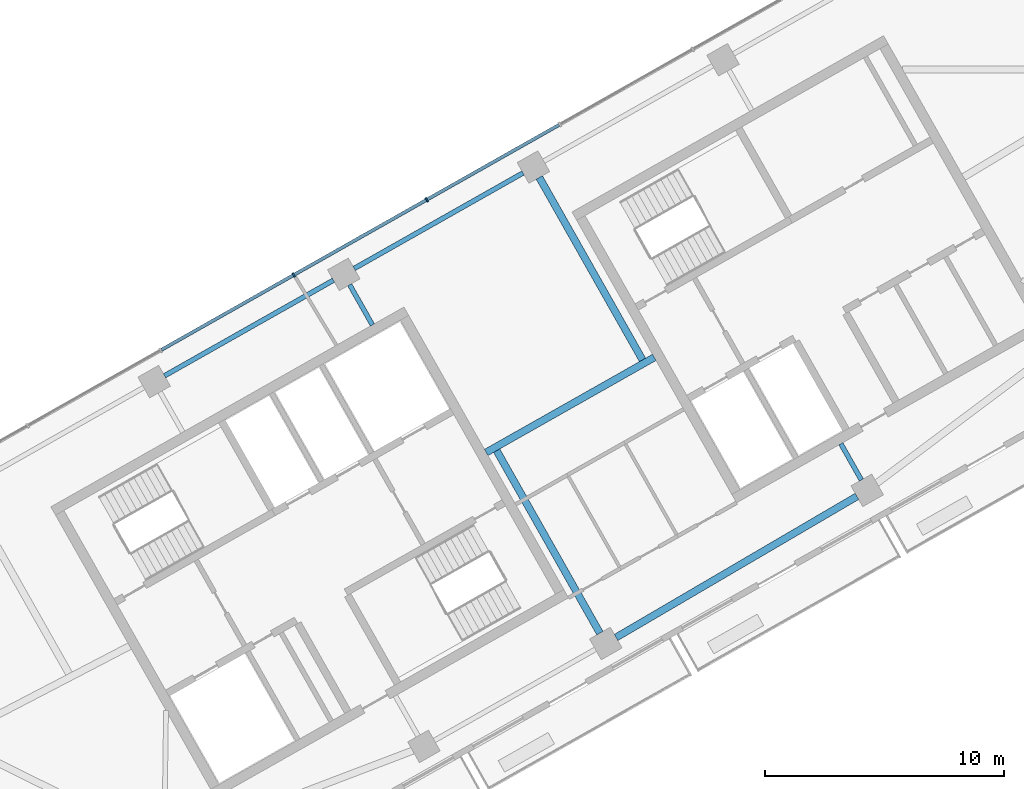
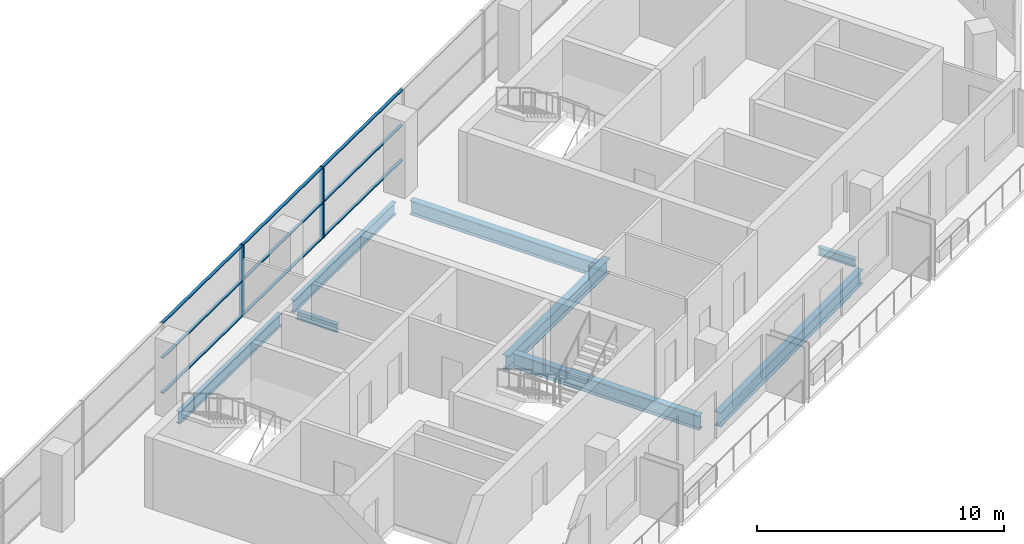
# One storey, part 3 of 10: 11 members, 8 beams, 1 element without a shape of its own.
"""IFC4 building model written with IfcOpenShell, lengths in metres."""

import ifcopenshell
import ifcopenshell.guid

model = None  # the IFC model being written
_history = None  # IfcOwnerHistory: only IFC2X3 demands one
_inside = {}  # id of a spatial element -> (the spatial element, [elements in it])
_under = {}  # id of a project, library or spatial element -> (it, [spatial elements below it])
_declared = {}  # id of a project -> (the project, [libraries it declares])
_typed = {}  # id of a type object -> (the type object, [elements of that type])
_made_of = {}  # id of a material, layer set ... -> (it, [elements and type objects made of it])


def new_model(schema):
    """Start an empty IFC model of exactly this schema.

    Asked for "IFC4X3", IfcOpenShell would pick the latest addendum, in which some entities
    have other attributes; the version numbers below select the first issue.
    IFC2X3 requires an IfcOwnerHistory on every rooted entity: one is made here for all.
    """
    global model, _history
    if schema == "IFC4X3":
        model = ifcopenshell.file(schema_version=(4, 3, 0, 0))
    else:
        model = ifcopenshell.file(schema=schema)
    _inside.clear()
    _under.clear()
    _declared.clear()
    _typed.clear()
    _made_of.clear()
    _history = None
    if model.schema == "IFC2X3":
        org = make("IfcOrganization", Name="unknown")
        user = make(
            "IfcPersonAndOrganization",
            ThePerson=make("IfcPerson", FamilyName="unknown"),
            TheOrganization=org,
        )
        app = make(
            "IfcApplication",
            ApplicationDeveloper=org,
            Version="unknown",
            ApplicationFullName="unknown",
            ApplicationIdentifier="unknown",
        )
        _history = make(
            "IfcOwnerHistory",
            OwningUser=user,
            OwningApplication=app,
            ChangeAction="ADDED",
            CreationDate=0,
        )
    return model


def make(cls, **values):
    """One entity of the class cls with the attributes given. An attribute that is None is left unset."""
    return model.create_entity(
        cls, **{name: value for name, value in values.items() if value is not None}
    )


def rooted(cls, **values):
    """An entity with a GlobalId (a new one), such as an element, a storey or a relation."""
    return make(cls, GlobalId=ifcopenshell.guid.new(), OwnerHistory=_history, **values)


def si_unit(unit_type, name, prefix=None):
    """IfcSIUnit, for example si_unit("LENGTHUNIT", "METRE", prefix="MILLI")."""
    return make("IfcSIUnit", UnitType=unit_type, Prefix=prefix, Name=name)


def assignment(units):
    """IfcUnitAssignment: the units of a project."""
    return None if units is None else make("IfcUnitAssignment", Units=units)


def point(xyz):
    """IfcCartesianPoint."""
    return None if xyz is None else make("IfcCartesianPoint", Coordinates=xyz)


def direction(xyz):
    """IfcDirection."""
    return None if xyz is None else make("IfcDirection", DirectionRatios=xyz)


def frame(location, z_axis=None, x_axis=None):
    """IfcAxis2Placement3D, a coordinate frame: its origin and axes. An axis left out is left unset."""
    return make(
        "IfcAxis2Placement3D",
        Location=point(location),
        Axis=direction(z_axis),
        RefDirection=direction(x_axis),
    )


def frame_2d(location, x_axis=None):
    """IfcAxis2Placement2D, a coordinate frame in the plane: its origin and x axis."""
    return make(
        "IfcAxis2Placement2D", Location=point(location), RefDirection=direction(x_axis)
    )


def origin():
    """The frame at (0, 0, 0) with its axes left unset."""
    return frame((0.0, 0.0, 0.0))


def origin_2d():
    """The frame at (0, 0) in the plane with its x axis left unset."""
    return frame_2d((0.0, 0.0))


def place(relative_to, where):
    """IfcLocalPlacement: puts the frame where relative to a parent placement (None: the world)."""
    return make(
        "IfcLocalPlacement", PlacementRelTo=relative_to, RelativePlacement=where
    )


def context(
    kind, dimensions, precision=None, world=None, true_north=None, identifier=None
):
    """IfcGeometricRepresentationContext, for example the 3D "Model" context."""
    return make(
        "IfcGeometricRepresentationContext",
        ContextIdentifier=identifier,
        ContextType=kind,
        CoordinateSpaceDimension=dimensions,
        Precision=precision,
        WorldCoordinateSystem=world,
        TrueNorth=true_north,
    )


def subcontext(parent, identifier, kind, view, scale=None):
    """IfcGeometricRepresentationSubContext, for example "Body" below "Model"."""
    return make(
        "IfcGeometricRepresentationSubContext",
        ContextIdentifier=identifier,
        ContextType=kind,
        ParentContext=parent,
        TargetScale=scale,
        TargetView=view,
    )


def project(units=None, contexts=None):
    """IfcProject with its units and contexts."""
    return rooted(
        "IfcProject",
        Name="project",
        RepresentationContexts=contexts,
        UnitsInContext=assignment(units),
    )


def spatial(cls, under=None, at=None, **own):
    """A site, building, storey or space (cls), placed at a placement, below another one or the project."""
    s = rooted(cls, ObjectPlacement=at, **own)
    if under is not None:
        _under.setdefault(under.id(), (under, []))[1].append(s)
    return s


def profile(cls, at=None, kind="AREA", **sizes):
    """A parametric profile (cls). Its sizes go by their IFC names, for example OverallWidth=200.0."""
    return make(cls, ProfileType=kind, Position=at, **sizes)


def rectangle(**sizes):
    """IfcRectangleProfileDef."""
    return profile("IfcRectangleProfileDef", **sizes)


def i_section(**sizes):
    """IfcIShapeProfileDef."""
    return profile("IfcIShapeProfileDef", **sizes)


def extrude(swept, where, along, depth):
    """IfcExtrudedAreaSolid: the profile swept, set in the frame where, extruded along a direction by depth."""
    return make(
        "IfcExtrudedAreaSolid",
        SweptArea=swept,
        Position=where,
        ExtrudedDirection=direction(along),
        Depth=depth,
    )


def shape(context_of_items, identifier, shape_type, items):
    """IfcShapeRepresentation: the items that make up one representation, for example the "Body"."""
    return make(
        "IfcShapeRepresentation",
        ContextOfItems=context_of_items,
        RepresentationIdentifier=identifier,
        RepresentationType=shape_type,
        Items=items,
    )


def material(Name=None, Category=None):
    """IfcMaterial."""
    return make("IfcMaterial", Name=Name, Category=Category)


def material_profile(
    of_material, cross_section, Name=None, Category=None, Priority=None
):
    """IfcMaterialProfile: a cross section and its material."""
    return make(
        "IfcMaterialProfile",
        Name=Name,
        Material=of_material,
        Profile=cross_section,
        Priority=Priority,
        Category=Category,
    )


def profile_set(profiles, Name=None, composite=None):
    """IfcMaterialProfileSet."""
    return make(
        "IfcMaterialProfileSet",
        Name=Name,
        MaterialProfiles=profiles,
        CompositeProfile=composite,
    )


def made_of(thing, what):
    """Note that an element or type object is made of a material, layer set ...; save() writes the relation."""
    if what is not None:
        _made_of.setdefault(what.id(), (what, []))[1].append(thing)
    return thing


def type_object(cls, material=None, **own):
    """A type object (cls), such as IfcWallType, which elements share."""
    return made_of(rooted(cls, **own), material)


def element(
    cls,
    number,
    at=None,
    inside=None,
    cuts=None,
    type_object=None,
    material=None,
    context=None,
    identifier="Body",
    shape_type=None,
    held_by="IfcProductDefinitionShape",
    body=None,
    shapes=None,
    **own,
):
    """One element of the class cls, such as IfcWall. Its Tag is "e" and its number.

    at: its placement. inside: the storey or other place that contains it. cuts: it is an
    opening in that element (IfcRelVoidsElement). A single representation is given by context,
    identifier, shape_type and body (its items); several are given by shapes. held_by: the class
    of the entity that holds the representations. save() writes the other relations.
    """
    e = rooted(cls, Tag="e%d" % number, ObjectPlacement=at, **own)
    if body is not None:
        shapes = [shape(context, identifier, shape_type, body)]
    if shapes is not None:
        e.Representation = make(held_by, Representations=shapes)
    if inside is not None:
        _inside.setdefault(inside.id(), (inside, []))[1].append(e)
    if cuts is not None:
        rooted(
            "IfcRelVoidsElement", RelatingBuildingElement=cuts, RelatedOpeningElement=e
        )
    if type_object is not None:
        _typed.setdefault(type_object.id(), (type_object, []))[1].append(e)
    return made_of(e, material)


def aggregate(whole, parts):
    """IfcRelAggregates: a whole, such as a stair, and the parts it consists of."""
    return rooted("IfcRelAggregates", RelatingObject=whole, RelatedObjects=parts)


def save(model, path):
    """Write the relations noted so far, then the file.

    IfcRelAggregates (storeys below a building ...), IfcRelContainedInSpatialStructure (elements
    in a storey), IfcRelDefinesByType, IfcRelAssociatesMaterial and IfcRelDeclares: one each for
    every whole, place, type object, material and project.
    """
    for whole, parts in _under.values():
        aggregate(whole, parts)
    for where, things in _inside.values():
        rooted(
            "IfcRelContainedInSpatialStructure",
            RelatedElements=things,
            RelatingStructure=where,
        )
    for kind, things in _typed.values():
        rooted("IfcRelDefinesByType", RelatedObjects=things, RelatingType=kind)
    for what, things in _made_of.values():
        rooted("IfcRelAssociatesMaterial", RelatedObjects=things, RelatingMaterial=what)
    for by, libraries in _declared.values():
        rooted("IfcRelDeclares", RelatingContext=by, RelatedDefinitions=libraries)
    model.write(path)


model = new_model("IFC4")

# Units and contexts
model_context = context("Model", 3, precision=1e-05, world=origin(), true_north=direction((0.0, 1.0)))
body_context = subcontext(model_context, "Body", "Model", "MODEL_VIEW")
ifc_project = project(units=[si_unit("LENGTHUNIT", "METRE"), si_unit("AREAUNIT", "SQUARE_METRE"), si_unit("VOLUMEUNIT", "CUBIC_METRE"), si_unit("PLANEANGLEUNIT", "RADIAN"), si_unit("MASSUNIT", "GRAM", prefix="KILO")], contexts=[model_context])

# Site, building, storey
site_placement = place(None, origin())
site = spatial("IfcSite", under=ifc_project, at=site_placement, CompositionType="ELEMENT")
building_placement = place(site_placement, origin())
building = spatial("IfcBuilding", under=site, at=building_placement, Name="Binnacle Exchange Tower", CompositionType="ELEMENT")
storey_placement = place(building_placement, frame((0.0, 0.0, 335.5)))
storey = spatial("IfcBuildingStorey", under=building, at=storey_placement, Name="L76", CompositionType="ELEMENT", Elevation=335.5)

# Curtain wall, members
ifc_material_1 = material(Name="Bronze anodised aluminium frame", Category="aluminium")
curtain_wall_type = type_object("IfcCurtainWallType", Name="External wall - curtain wall executive floors", PredefinedType="NOTDEFINED", material=ifc_material_1)
curtain_wall_placement = place(storey_placement, origin())
curtain_wall = element("IfcCurtainWall", 1, at=curtain_wall_placement, inside=storey, type_object=curtain_wall_type, Name="External wall curtain wall CW4-H03 L76", PredefinedType="NOTDEFINED")
ifc_material_profile_1 = material_profile(ifc_material_1, rectangle(XDim=0.199951171875, YDim=0.070068359375, at=origin_2d()), Name="AL 70x200")
ifc_profile_set_1 = profile_set([ifc_material_profile_1], Name="Bronze anodised aluminium frame")
member_type_1 = type_object("IfcMemberType", Name="CW4 MULLION 70x200", PredefinedType="MULLION", material=ifc_profile_set_1)
member_1_placement = place(storey_placement, frame((-30.85791015625, 54.541259765625, 0.0), z_axis=(0.0, 0.0, 1.0), x_axis=(0.492423763019, -0.870355581136, 0.0)))
member_1 = element("IfcMember", 2, at=member_1_placement, type_object=member_type_1, Name="CW4-H03 mullion 6", PredefinedType="MULLION", context=body_context, shape_type="SweptSolid", body=[
    extrude(rectangle(XDim=0.199951171875, YDim=0.070068359375, at=origin_2d()), origin(), (0.0, 0.0, 1.0), 3.52001953125),
])
member_2_placement = place(storey_placement, frame((-36.432861328125, 51.38720703125, 0.0), z_axis=(0.0, 0.0, 1.0), x_axis=(0.492423763019, -0.870355581136, 0.0)))
member_2 = element("IfcMember", 3, at=member_2_placement, type_object=member_type_1, Name="CW4-H03 mullion 7", PredefinedType="MULLION", context=body_context, shape_type="SweptSolid", body=[
    extrude(rectangle(XDim=0.199951171875, YDim=0.070068359375, at=origin_2d()), origin(), (0.0, 0.0, 1.0), 3.52001953125),
])
ifc_material_profile_2 = material_profile(ifc_material_1, rectangle(XDim=0.139892578125, YDim=0.050048828125, at=origin_2d()), Name="AL 140x50")
ifc_profile_set_2 = profile_set([ifc_material_profile_2], Name="Bronze anodised aluminium frame")
member_type_2 = type_object("IfcMemberType", Name="CW4 TRANSOM 50x140", PredefinedType="USERDEFINED", material=ifc_profile_set_2)
member_3_placement = place(storey_placement, frame((-25.3134765625, 57.67822265625, 0.02490234375), z_axis=(-0.870364679821, -0.492407680809, 0.0), x_axis=(0.492407680809, -0.870364679821, 0.0)))
member_3 = element("IfcMember", 4, at=member_3_placement, type_object=member_type_2, Name="CW4-H03 transom 5.1", ObjectType="TRANSOM", PredefinedType="USERDEFINED", context=body_context, shape_type="SweptSolid", body=[
    extrude(rectangle(XDim=0.139892578125, YDim=0.050048828125, at=origin_2d()), origin(), (0.0, 0.0, 1.0), 6.33544921875),
])
member_4_placement = place(storey_placement, frame((-25.3134765625, 57.67822265625, 1.760009765625), z_axis=(-0.870364679821, -0.492407680809, 0.0), x_axis=(0.492407680809, -0.870364679821, 0.0)))
member_4 = element("IfcMember", 5, at=member_4_placement, type_object=member_type_2, Name="CW4-H03 transom 5.2", ObjectType="TRANSOM", PredefinedType="USERDEFINED", context=body_context, shape_type="SweptSolid", body=[
    extrude(rectangle(XDim=0.139892578125, YDim=0.050048828125, at=origin_2d()), origin(), (0.0, 0.0, 1.0), 6.33544921875),
])
member_5_placement = place(storey_placement, frame((-25.3134765625, 57.67822265625, 3.4951171875), z_axis=(-0.870364679821, -0.492407680809, 0.0), x_axis=(0.492407680809, -0.870364679821, 0.0)))
member_5 = element("IfcMember", 6, at=member_5_placement, type_object=member_type_2, Name="CW4-H03 transom 5.3", ObjectType="TRANSOM", PredefinedType="USERDEFINED", context=body_context, shape_type="SweptSolid", body=[
    extrude(rectangle(XDim=0.139892578125, YDim=0.050048828125, at=origin_2d()), origin(), (0.0, 0.0, 1.0), 6.33544921875),
])
member_6_placement = place(storey_placement, frame((-30.888427734375, 54.524169921875, 0.02490234375), z_axis=(-0.870355335808, -0.492424196633, 0.0), x_axis=(0.492424196633, -0.870355335808, 0.0)))
member_6 = element("IfcMember", 7, at=member_6_placement, type_object=member_type_2, Name="CW4-H03 transom 6.1", ObjectType="TRANSOM", PredefinedType="USERDEFINED", context=body_context, shape_type="SweptSolid", body=[
    extrude(rectangle(XDim=0.139892578125, YDim=0.050048828125, at=origin_2d()), origin(), (0.0, 0.0, 1.0), 6.335205078125),
])
member_7_placement = place(storey_placement, frame((-30.888427734375, 54.524169921875, 1.760009765625), z_axis=(-0.870355335808, -0.492424196633, 0.0), x_axis=(0.492424196633, -0.870355335808, 0.0)))
member_7 = element("IfcMember", 8, at=member_7_placement, type_object=member_type_2, Name="CW4-H03 transom 6.2", ObjectType="TRANSOM", PredefinedType="USERDEFINED", context=body_context, shape_type="SweptSolid", body=[
    extrude(rectangle(XDim=0.139892578125, YDim=0.050048828125, at=origin_2d()), origin(), (0.0, 0.0, 1.0), 6.335205078125),
])
member_8_placement = place(storey_placement, frame((-30.888427734375, 54.524169921875, 3.4951171875), z_axis=(-0.870355335808, -0.492424196633, 0.0), x_axis=(0.492424196633, -0.870355335808, 0.0)))
member_8 = element("IfcMember", 9, at=member_8_placement, type_object=member_type_2, Name="CW4-H03 transom 6.3", ObjectType="TRANSOM", PredefinedType="USERDEFINED", context=body_context, shape_type="SweptSolid", body=[
    extrude(rectangle(XDim=0.139892578125, YDim=0.050048828125, at=origin_2d()), origin(), (0.0, 0.0, 1.0), 6.335205078125),
])
member_9_placement = place(storey_placement, frame((-36.46337890625, 51.3701171875, 0.02490234375), z_axis=(-0.870338819343, -0.492453388195, 0.0), x_axis=(0.492453388195, -0.870338819343, 0.0)))
member_9 = element("IfcMember", 10, at=member_9_placement, type_object=member_type_2, Name="CW4-H03 transom 7.1", ObjectType="TRANSOM", PredefinedType="USERDEFINED", context=body_context, shape_type="SweptSolid", body=[
    extrude(rectangle(XDim=0.139892578125, YDim=0.050048828125, at=origin_2d()), origin(), (0.0, 0.0, 1.0), 6.33544921875),
])
member_10_placement = place(storey_placement, frame((-36.46337890625, 51.3701171875, 1.760009765625), z_axis=(-0.870338819343, -0.492453388195, 0.0), x_axis=(0.492453388195, -0.870338819343, 0.0)))
member_10 = element("IfcMember", 11, at=member_10_placement, type_object=member_type_2, Name="CW4-H03 transom 7.2", ObjectType="TRANSOM", PredefinedType="USERDEFINED", context=body_context, shape_type="SweptSolid", body=[
    extrude(rectangle(XDim=0.139892578125, YDim=0.050048828125, at=origin_2d()), origin(), (0.0, 0.0, 1.0), 6.33544921875),
])
member_11_placement = place(storey_placement, frame((-36.46337890625, 51.3701171875, 3.4951171875), z_axis=(-0.870338819343, -0.492453388195, 0.0), x_axis=(0.492453388195, -0.870338819343, 0.0)))
member_11 = element("IfcMember", 12, at=member_11_placement, type_object=member_type_2, Name="CW4-H03 transom 7.3", ObjectType="TRANSOM", PredefinedType="USERDEFINED", context=body_context, shape_type="SweptSolid", body=[
    extrude(rectangle(XDim=0.139892578125, YDim=0.050048828125, at=origin_2d()), origin(), (0.0, 0.0, 1.0), 6.33544921875),
])
aggregate(curtain_wall, [member_1, member_2, member_3, member_4, member_5, member_6, member_7, member_8, member_9, member_10, member_11])

# Beams
ifc_material_2 = material(Name="Steel S355 (SHN355)", Category="steel")
ifc_material_profile_3 = material_profile(ifc_material_2, i_section(OverallWidth=0.201904296875, OverallDepth=0.612060546875, WebThickness=0.012939453125, FlangeThickness=0.02294921875, FilletRadius=0.02197265625, at=origin_2d()), Name="H 612x202x13x23")
ifc_profile_set_3 = profile_set([ifc_material_profile_3], Name="Steel S355 (SHN355)")
beam_type_1 = type_object("IfcBeamType", Name="Edge girder H 612x202x13x23 Steel S355 (SHN355)", PredefinedType="SPANDREL", material=ifc_profile_set_3)
beam_1_placement = place(storey_placement, frame((-34.76904296875, 51.168212890625, -0.5859375), z_axis=(-0.870345742373, -0.492441152558, 0.0), x_axis=(0.492441152558, -0.870345742373, 0.0)))
element("IfcBeam", 13, at=beam_1_placement, inside=storey, type_object=beam_type_1, Name="S:BM:edge:L76:009", PredefinedType="SPANDREL", context=body_context, shape_type="SweptSolid", body=[
    extrude(i_section(OverallWidth=0.201904296875, OverallDepth=0.612060546875, WebThickness=0.012939453125, FlangeThickness=0.02294921875, FilletRadius=0.02197265625, at=origin_2d()), origin(), (0.0, 0.0, 1.0), 8.129638671875),
])
beam_2_placement = place(storey_placement, frame((-26.82275390625, 55.6640625, -0.5859375), z_axis=(-0.870353024448, -0.49242828192, 0.0), x_axis=(0.49242828192, -0.870353024448, 0.0)))
element("IfcBeam", 14, at=beam_2_placement, inside=storey, type_object=beam_type_1, Name="S:BM:edge:L76:011", PredefinedType="SPANDREL", context=body_context, shape_type="SweptSolid", body=[
    extrude(i_section(OverallWidth=0.201904296875, OverallDepth=0.612060546875, WebThickness=0.012939453125, FlangeThickness=0.02294921875, FilletRadius=0.02197265625, at=origin_2d()), origin(), (0.0, 0.0, 1.0), 8.1298828125),
])
ifc_material_profile_4 = material_profile(ifc_material_2, i_section(OverallWidth=0.302001953125, OverallDepth=0.7080078125, WebThickness=0.014892578125, FlangeThickness=0.028076171875, FilletRadius=0.028076171875, at=origin_2d()), Name="H 708x302x15x28")
ifc_profile_set_4 = profile_set([ifc_material_profile_4], Name="Steel S355 (SHN355)")
beam_type_2 = type_object("IfcBeamType", Name="Edge girder H 708x302x15x28 Steel S355 (SHN355)", PredefinedType="SPANDREL", material=ifc_profile_set_4)
beam_3_placement = place(storey_placement, frame((-22.924560546875, 36.198974609375, -0.634033203125), z_axis=(0.862883491145, 0.505402889494, 0.0), x_axis=(-0.505402889494, 0.862883491145, 0.0)))
element("IfcBeam", 15, at=beam_3_placement, inside=storey, type_object=beam_type_2, Name="S:BM:edge:L76:012", PredefinedType="SPANDREL", context=body_context, shape_type="SweptSolid", body=[
    extrude(i_section(OverallWidth=0.302001953125, OverallDepth=0.7080078125, WebThickness=0.014892578125, FlangeThickness=0.028076171875, FilletRadius=0.028076171875, at=origin_2d()), origin(), (0.0, 0.0, 1.0), 11.69677734375),
])
ifc_material_profile_5 = material_profile(ifc_material_2, i_section(OverallWidth=0.199951171875, OverallDepth=0.39990234375, WebThickness=0.008056640625, FlangeThickness=0.012939453125, FilletRadius=0.01611328125, at=origin_2d()), Name="H 400x200x8x13")
ifc_profile_set_5 = profile_set([ifc_material_profile_5], Name="Steel S355 (SHN355)")
beam_type_3 = type_object("IfcBeamType", Name="Floor beam H 400x200x8x13 Steel S355 (SHN355)", PredefinedType="BEAM", material=ifc_profile_set_5)
beam_4_placement = place(storey_placement, frame((-34.087646484375, 50.979248046875, -0.47998046875), z_axis=(0.492464757892, -0.870332386065, 0.0), x_axis=(0.870332386065, 0.492464757892, 0.0)))
element("IfcBeam", 16, at=beam_4_placement, inside=storey, type_object=beam_type_3, Name="S:BM:cross:L76:022", PredefinedType="BEAM", context=body_context, shape_type="SweptSolid", body=[
    extrude(i_section(OverallWidth=0.199951171875, OverallDepth=0.39990234375, WebThickness=0.008056640625, FlangeThickness=0.012939453125, FilletRadius=0.01611328125, at=origin_2d()), origin(), (0.0, 0.0, 1.0), 1.934326171875),
])
beam_5_placement = place(storey_placement, frame((-12.646240234375, 42.79833984375, -0.47998046875), z_axis=(-0.492426196623, 0.870354204264, 0.0), x_axis=(-0.870354204264, -0.492426196623, 0.0)))
element("IfcBeam", 17, at=beam_5_placement, inside=storey, type_object=beam_type_3, Name="S:BM:cross:L76:027", PredefinedType="BEAM", context=body_context, shape_type="SweptSolid", body=[
    extrude(i_section(OverallWidth=0.199951171875, OverallDepth=0.39990234375, WebThickness=0.008056640625, FlangeThickness=0.012939453125, FilletRadius=0.01611328125, at=origin_2d()), origin(), (0.0, 0.0, 1.0), 1.744140625),
])
ifc_material_profile_6 = material_profile(ifc_material_2, i_section(OverallWidth=0.302001953125, OverallDepth=0.7080078125, WebThickness=0.014892578125, FlangeThickness=0.028076171875, FilletRadius=0.028076171875, at=origin_2d()), Name="H 708x302x15x28")
ifc_profile_set_6 = profile_set([ifc_material_profile_6], Name="Steel S355 (SHN355)")
beam_type_4 = type_object("IfcBeamType", Name="Floor beam H 708x302x15x28 Steel S355 (SHN355)", PredefinedType="BEAM", material=ifc_profile_set_6)
for number, where, z_axis, x_axis, name in (
    (18, (-26.141357421875, 55.47509765625, -0.634033203125), (0.492407973512, -0.870364514225, 0.0), (0.870364514225, 0.492407973512, 0.0), "S:BM:cross:L76:024"),
    (19, (-23.602294921875, 36.38134765625, -0.634033203125), (-0.492407973512, 0.870364514225, 0.0), (-0.870364514225, -0.492407973512, 0.0), "S:BM:cross:L76:025"),
):
    element("IfcBeam", number, at=place(storey_placement, frame(where, z_axis=z_axis, x_axis=x_axis)), inside=storey, type_object=beam_type_4, Name=name, PredefinedType="BEAM", context=body_context, shape_type="SweptSolid", body=[
        extrude(i_section(OverallWidth=0.302001953125, OverallDepth=0.7080078125, WebThickness=0.014892578125, FlangeThickness=0.028076171875, FilletRadius=0.028076171875, at=origin_2d()), origin(), (0.0, 0.0, 1.0), 8.7841796875),
    ])
ifc_material_profile_7 = material_profile(ifc_material_2, i_section(OverallWidth=0.302001953125, OverallDepth=0.7080078125, WebThickness=0.014892578125, FlangeThickness=0.028076171875, FilletRadius=0.028076171875, at=origin_2d()), Name="H 708x302x15x28")
ifc_profile_set_7 = profile_set([ifc_material_profile_7], Name="Steel S355 (SHN355)")
beam_type_5 = type_object("IfcBeamType", Name="Spine girder H 708x302x15x28 Steel S355 (SHN355)", PredefinedType="BEAM", material=ifc_profile_set_7)
beam_6_placement = place(storey_placement, frame((-28.365478515625, 43.951416015625, -0.634033203125), z_axis=(0.870350319004, 0.492433063684, 0.0), x_axis=(-0.492433063684, 0.870350319004, 0.0)))
element("IfcBeam", 20, at=beam_6_placement, inside=storey, type_object=beam_type_5, Name="S:BM:spine:L76:002", PredefinedType="BEAM", context=body_context, shape_type="SweptSolid", body=[
    extrude(i_section(OverallWidth=0.302001953125, OverallDepth=0.7080078125, WebThickness=0.014892578125, FlangeThickness=0.028076171875, FilletRadius=0.028076171875, at=origin_2d()), origin(), (0.0, 0.0, 1.0), 8.0908203125),
])

save(model, "model.ifc")
